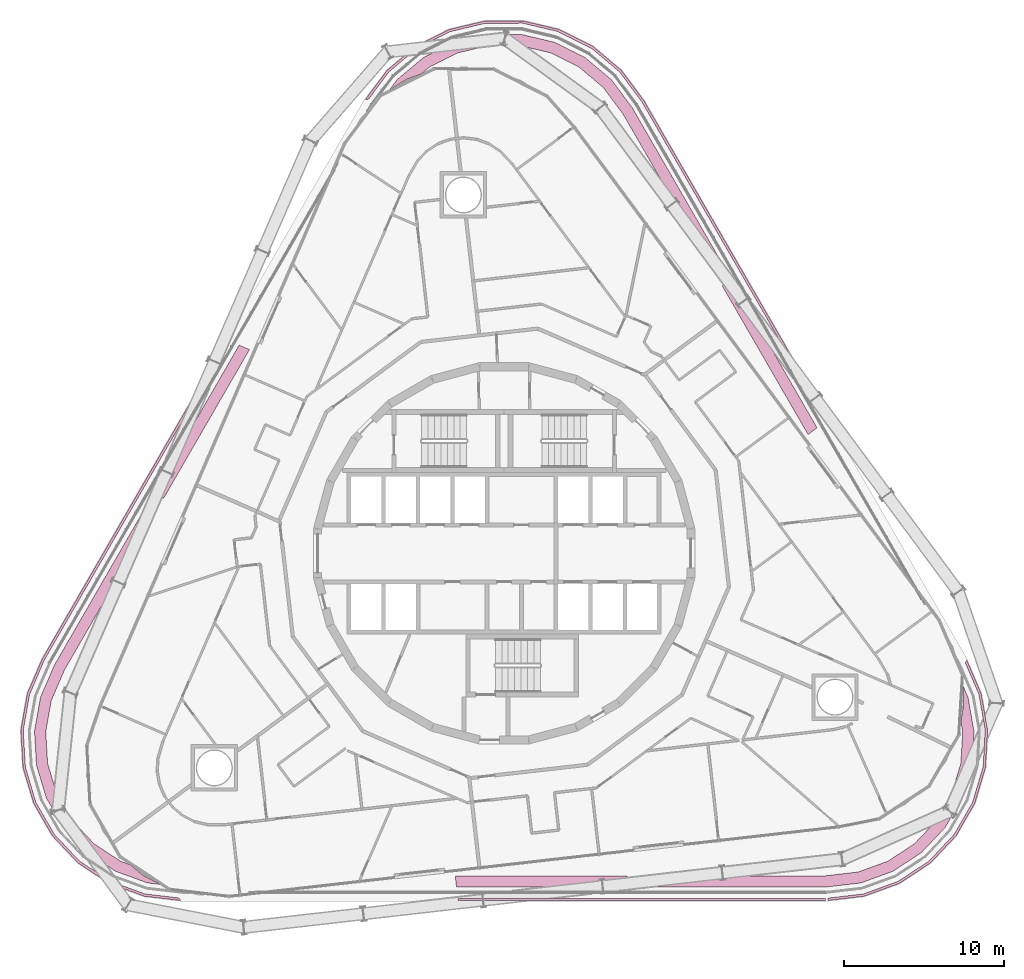
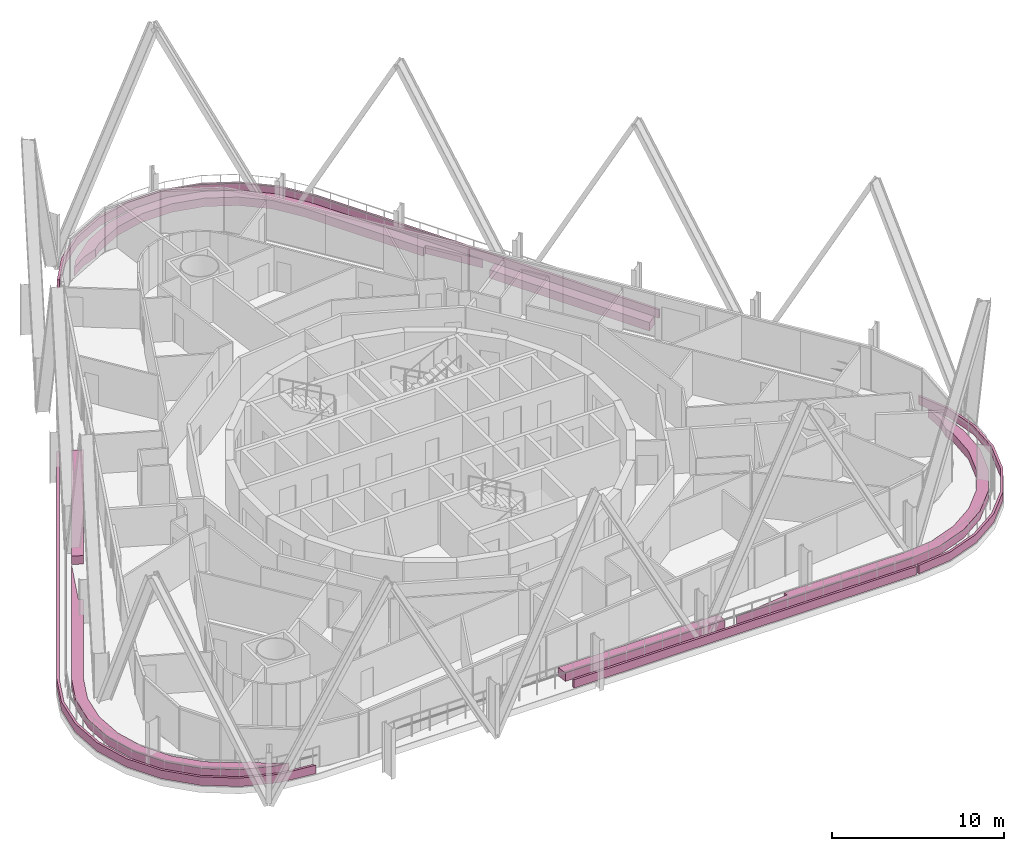
# One storey, part 32 of 32: 10 furniture elements.
"""IFC4 building model written with IfcOpenShell, lengths in metres."""

from ifc_helpers import new_model, si_unit, direction, frame, origin, place, context, subcontext, project, spatial, polyline, outline, extrude, element, save


model = new_model("IFC4")

# Units and contexts
model_context = context("Model", 3, precision=1e-05, world=origin(), true_north=direction((0.0, 1.0)))
body_context = subcontext(model_context, "Body", "Model", "MODEL_VIEW")
ifc_project = project(units=[si_unit("LENGTHUNIT", "METRE"), si_unit("AREAUNIT", "SQUARE_METRE"), si_unit("VOLUMEUNIT", "CUBIC_METRE"), si_unit("PLANEANGLEUNIT", "RADIAN"), si_unit("MASSUNIT", "GRAM", prefix="KILO")], contexts=[model_context])

# Site, building, storey
site_placement = place(None, origin())
site = spatial("IfcSite", under=ifc_project, at=site_placement, CompositionType="ELEMENT")
building_placement = place(site_placement, origin())
building = spatial("IfcBuilding", under=site, at=building_placement, Name="Spindle Arch Residences", CompositionType="ELEMENT")
storey_placement = place(building_placement, frame((0.0, 0.0, 76.699951171875)))
storey = spatial("IfcBuildingStorey", under=building, at=storey_placement, Name="L17", CompositionType="ELEMENT", Elevation=76.699951171875)

# Furniture
furniture_1_placement = place(storey_placement, frame((0.0, 0.0, 0.030029296875)))
element("IfcFurniture", 1, at=furniture_1_placement, inside=storey, Name="PLANTER L16 1", ObjectType="PLANTER", PredefinedType="USERDEFINED", context=body_context, shape_type="SweptSolid", body=[
    extrude(outline(polyline([(29.77099609375, -8.74755859375), (30.17626953125, -11.045654296875), (30.04052734375, -13.375), (29.371337890625, -15.6103515625), (28.20458984375, -17.631103515625), (26.603271484375, -19.328369140625), (24.65380859375, -20.610595703125), (22.461181640625, -21.40869140625), (20.21923828125, -21.670654296875), (20.201904296875, -21.521728515625), (22.4287109375, -21.258544921875), (24.587646484375, -20.47216796875), (26.5068359375, -19.208984375), (28.083251953125, -17.537109375), (29.231689453125, -15.546875), (29.894287109375, -13.307861328125), (30.018310546875, -11.01416015625), (29.624755859375, -8.79443359375), (28.78564453125, -6.841796875), (28.864013671875, -6.64501953125), (29.77099609375, -8.74755859375)])), origin(), (0.0, 0.0, 1.0), 0.60009765625),
])
furniture_2_placement = place(storey_placement, frame((0.0, 0.0, 0.030029296875)))
element("IfcFurniture", 2, at=furniture_2_placement, inside=storey, Name="PLANTER L16 2", ObjectType="PLANTER", PredefinedType="USERDEFINED", context=body_context, shape_type="SweptSolid", body=[
    extrude(outline(polyline([(28.6826171875, -9.46923828125), (28.61328125, -8.209716796875), (28.951171875, -8.9931640625), (29.322021484375, -11.09521484375), (29.19775390625, -13.226318359375), (28.58544921875, -15.271484375), (27.518310546875, -17.1201171875), (26.05322265625, -18.6728515625), (24.269775390625, -19.845947265625), (22.263916015625, -20.575927734375), (20.091064453125, -20.829833984375), (8.49365234375, -20.829833984375), (12.108154296875, -20.418212890625), (12.0751953125, -20.1298828125), (20.05322265625, -20.129638671875), (22.101318359375, -19.889892578125), (23.953369140625, -19.2158203125), (25.60009765625, -18.132568359375), (26.948974609375, -16.70361328125), (27.938232421875, -14.9921875), (28.50341796875, -13.10400390625), (28.617919921875, -11.13623046875), (28.502197265625, -10.4775390625), (28.6826171875, -9.46923828125)])), origin(), (0.0, 0.0, 1.0), 0.60009765625),
])
furniture_3_placement = place(storey_placement, frame((0.0, 0.0, 0.030029296875)))
element("IfcFurniture", 3, at=furniture_3_placement, inside=storey, Name="PLANTER L16 3", ObjectType="PLANTER", PredefinedType="USERDEFINED", context=body_context, shape_type="SweptSolid", body=[
    extrude(outline(polyline([(-2.97998046875, -20.829833984375), (-3.059814453125, -20.1298828125), (7.646728515625, -20.1298828125), (7.7265625, -20.829833984375), (-2.97998046875, -20.829833984375)])), origin(), (0.0, 0.0, 1.0), 0.60009765625),
])
furniture_4_placement = place(storey_placement, frame((0.0, 0.0, 0.030029296875)))
element("IfcFurniture", 4, at=furniture_4_placement, inside=storey, Name="PLANTER L16 4", ObjectType="PLANTER", PredefinedType="USERDEFINED", context=body_context, shape_type="SweptSolid", body=[
    extrude(outline(polyline([(-7.309814453125, 30.15625), (-5.5224609375, 31.65625), (-3.437255859375, 32.703369140625), (-1.166748046875, 33.241455078125), (1.166748046875, 33.241455078125), (3.437255859375, 32.703369140625), (5.5224609375, 31.65625), (7.309814453125, 30.15625), (8.705078125, 28.2822265625), (20.216796875, 8.343017578125), (20.095458984375, 8.25341796875), (8.588134765625, 28.1845703125), (7.2001953125, 30.048828125), (5.470703125, 31.503662109375), (3.345703125, 32.571044921875), (1.14599609375, 33.08935546875), (-1.18896484375, 33.08203125), (-3.387451171875, 32.55810546875), (-5.435546875, 31.529541015625), (-7.1962890625, 30.052978515625), (-8.4677734375, 28.349853515625), (-8.67724609375, 28.319580078125), (-7.309814453125, 30.15625)])), origin(), (0.0, 0.0, 1.0), 0.60009765625),
])
furniture_5_placement = place(storey_placement, frame((0.0, 0.0, 0.030029296875)))
element("IfcFurniture", 5, at=furniture_5_placement, inside=storey, Name="PLANTER L16 5", ObjectType="PLANTER", PredefinedType="USERDEFINED", context=body_context, shape_type="SweptSolid", body=[
    extrude(outline(polyline([(13.609619140625, 16.687255859375), (14.176025390625, 17.106201171875), (19.529296875, 7.834228515625), (18.962890625, 7.4150390625), (13.609619140625, 16.687255859375)])), origin(), (0.0, 0.0, 1.0), 0.60009765625),
])
furniture_6_placement = place(storey_placement, frame((0.0, 0.0, 0.030029296875)))
element("IfcFurniture", 6, at=furniture_6_placement, inside=storey, Name="PLANTER L16 6", ObjectType="PLANTER", PredefinedType="USERDEFINED", context=body_context, shape_type="SweptSolid", body=[
    extrude(outline(polyline([(7.4091796875, 27.426513671875), (6.174560546875, 29.085205078125), (4.66455078125, 30.35205078125), (2.9033203125, 31.236572265625), (0.985595703125, 31.691162109375), (-0.985595703125, 31.691162109375), (-2.9033203125, 31.236572265625), (-4.66455078125, 30.35205078125), (-5.17724609375, 29.92236328125), (-6.140625, 29.574462890625), (-7.197021484375, 28.884521484375), (-6.6875, 29.569091796875), (-5.052001953125, 30.941162109375), (-3.14453125, 31.899169921875), (-1.0673828125, 32.3916015625), (1.0673828125, 32.3916015625), (3.14453125, 31.899169921875), (5.052001953125, 30.941162109375), (6.6875, 29.569091796875), (7.99365234375, 27.814453125), (13.79248046875, 17.770751953125), (11.628662109375, 20.69482421875), (11.3955078125, 20.5224609375), (7.4091796875, 27.426513671875)])), origin(), (0.0, 0.0, 1.0), 0.60009765625),
])
furniture_7_placement = place(storey_placement, frame((0.0, 0.0, 0.030029296875)))
element("IfcFurniture", 7, at=furniture_7_placement, inside=storey, Name="PLANTER L16 7", ObjectType="PLANTER", PredefinedType="USERDEFINED", context=body_context, shape_type="SweptSolid", body=[
    extrude(outline(polyline([(20.0615234375, -21.530029296875), (20.0615234375, -21.679931640625), (-2.883056640625, -21.679931640625), (-2.900146484375, -21.530029296875), (20.0615234375, -21.530029296875)])), origin(), (0.0, 0.0, 1.0), 0.60009765625),
])
furniture_8_placement = place(storey_placement, frame((0.0, 0.0, 0.030029296875)))
element("IfcFurniture", 8, at=furniture_8_placement, inside=storey, Name="PLANTER L16 8", ObjectType="PLANTER", PredefinedType="USERDEFINED", context=body_context, shape_type="SweptSolid", body=[
    extrude(outline(polyline([(-24.65380859375, -20.610595703125), (-26.603271484375, -19.328369140625), (-28.20458984375, -17.631103515625), (-29.371337890625, -15.6103515625), (-30.04052734375, -13.375), (-30.17626953125, -11.045654296875), (-29.77099609375, -8.74755859375), (-28.845703125, -6.602294921875), (-17.333740234375, 13.3369140625), (-17.1953125, 13.276611328125), (-28.701171875, -6.652099609375), (-29.6328125, -8.828369140625), (-30.023193359375, -11.057373046875), (-29.888916015625, -13.351318359375), (-29.231689453125, -15.546875), (-28.083251953125, -17.537109375), (-26.5068359375, -19.208984375), (-24.587646484375, -20.47216796875), (-22.4287109375, -21.258544921875), (-20.31787109375, -21.50830078125), (-20.186767578125, -21.674560546875), (-22.461181640625, -21.40869140625), (-24.65380859375, -20.610595703125)])), origin(), (0.0, 0.0, 1.0), 0.60009765625),
])
furniture_9_placement = place(storey_placement, frame((0.0, 0.0, 0.030029296875)))
element("IfcFurniture", 9, at=furniture_9_placement, inside=storey, Name="PLANTER L16 9", ObjectType="PLANTER", PredefinedType="USERDEFINED", context=body_context, shape_type="SweptSolid", body=[
    extrude(outline(polyline([(-21.25634765625, 3.442626953125), (-21.902587890625, 3.7236328125), (-16.54931640625, 12.99560546875), (-15.903076171875, 12.71484375), (-21.25634765625, 3.442626953125)])), origin(), (0.0, 0.0, 1.0), 0.60009765625),
])
furniture_10_placement = place(storey_placement, frame((0.0, 0.0, 0.030029296875)))
element("IfcFurniture", 10, at=furniture_10_placement, inside=storey, Name="PLANTER L16 10", ObjectType="PLANTER", PredefinedType="USERDEFINED", context=body_context, shape_type="SweptSolid", body=[
    extrude(outline(polyline([(-27.456787109375, -7.296630859375), (-28.275634765625, -9.1953125), (-28.617919921875, -11.13623046875), (-28.50341796875, -13.10400390625), (-27.938232421875, -14.9921875), (-26.95263671875, -16.698974609375), (-25.60009765625, -18.132568359375), (-23.953369140625, -19.2158203125), (-23.324951171875, -19.44482421875), (-22.5419921875, -20.105224609375), (-21.416259765625, -20.675048828125), (-22.263916015625, -20.575927734375), (-24.269775390625, -19.845947265625), (-26.05322265625, -18.6728515625), (-27.518310546875, -17.1201171875), (-28.58544921875, -15.271484375), (-29.19775390625, -13.226318359375), (-29.322021484375, -11.09521484375), (-28.951171875, -8.9931640625), (-28.084716796875, -6.984619140625), (-22.2861328125, 3.059326171875), (-23.736572265625, -0.27685546875), (-23.470703125, -0.392578125), (-27.456787109375, -7.296630859375)])), origin(), (0.0, 0.0, 1.0), 0.60009765625),
])

save(model, "model.ifc")
